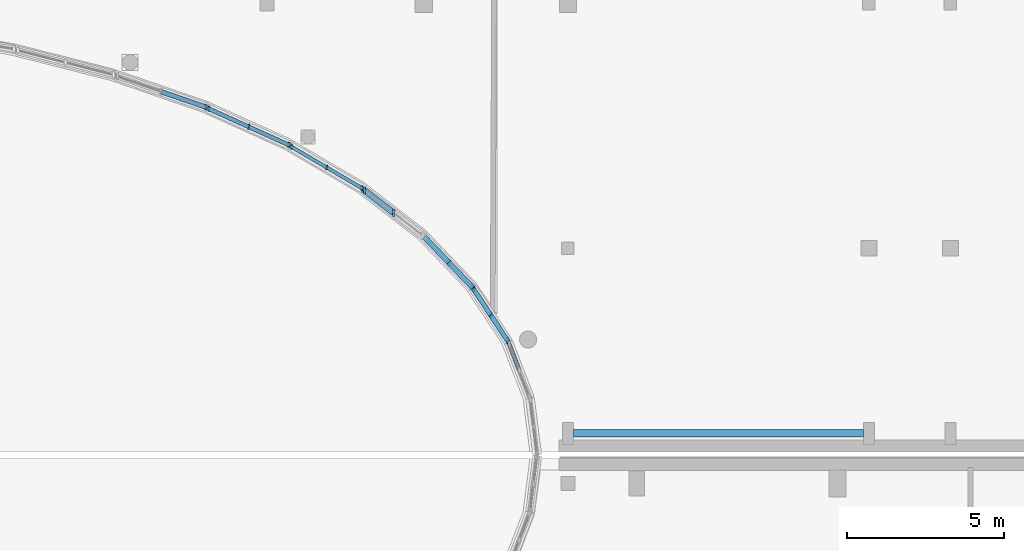
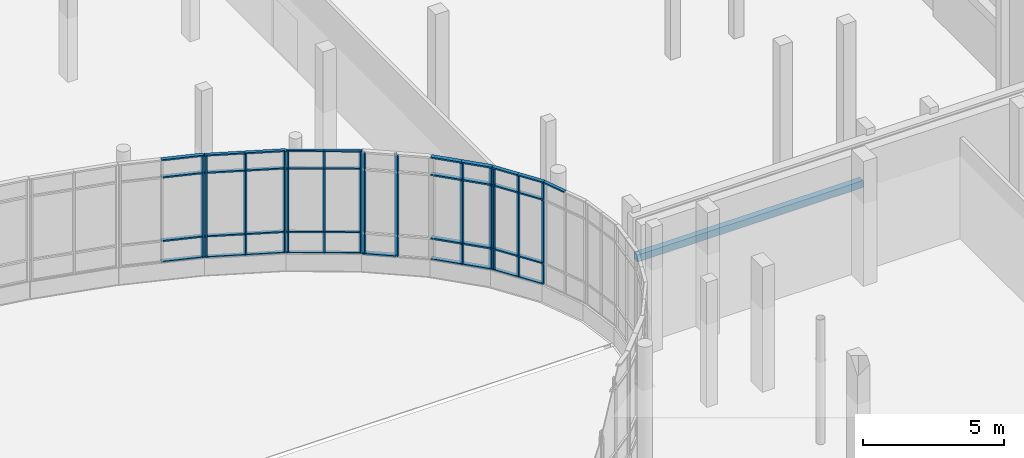
# One storey, part 25 of 84: 52 members, 1 beam, 7 elements without a shape of their own.
"""IFC4 building model written with IfcOpenShell, lengths in metres."""

from ifc_helpers import new_model, si_unit, direction, frame, origin, origin_2d, place, context, subcontext, project, spatial, rectangle, extrude, material, material_profile, profile_set, type_object, element, aggregate, save


model = new_model("IFC4")

# Units and contexts
model_context = context("Model", 3, precision=1e-05, world=origin(), true_north=direction((0.0, 1.0)))
body_context = subcontext(model_context, "Body", "Model", "MODEL_VIEW")
ifc_project = project(units=[si_unit("LENGTHUNIT", "METRE"), si_unit("AREAUNIT", "SQUARE_METRE"), si_unit("VOLUMEUNIT", "CUBIC_METRE"), si_unit("PLANEANGLEUNIT", "RADIAN"), si_unit("MASSUNIT", "GRAM", prefix="KILO")], contexts=[model_context])

# Site, building, storey
site_placement = place(None, origin())
site = spatial("IfcSite", under=ifc_project, at=site_placement, CompositionType="ELEMENT")
building_placement = place(site_placement, origin())
building = spatial("IfcBuilding", under=site, at=building_placement, Name="Mzevani Central Library", CompositionType="ELEMENT")
storey_placement = place(building_placement, origin())
storey = spatial("IfcBuildingStorey", under=building, at=storey_placement, Name="L00", CompositionType="ELEMENT", Elevation=0.0)

# Curtain wall, members
ifc_material_1 = material(Name="Thermally broken aluminium and Low-E triple glazing", Category="aluminium")
curtain_wall_type_1 = type_object("IfcCurtainWallType", Name="Elliptical Court Unitised Curtain Wall", PredefinedType="NOTDEFINED", material=ifc_material_1)
curtain_wall_1_placement = place(storey_placement, origin())
curtain_wall_1 = element("IfcCurtainWall", 1, at=curtain_wall_1_placement, inside=storey, type_object=curtain_wall_type_1, Name="L00 Elliptical Court Curtain Wall 6", PredefinedType="NOTDEFINED")
ifc_material_2 = material(Name="Thermally broken aluminium AW-6060", Category="aluminium")
ifc_material_profile_1 = material_profile(ifc_material_2, rectangle(XDim=0.06005859375, YDim=0.139892578125, at=origin_2d()), Name="ALU M60x140")
ifc_profile_set_1 = profile_set([ifc_material_profile_1], Name="Thermally broken aluminium AW-6060")
member_type_1 = type_object("IfcMemberType", Name="CW Mullion 60x140", PredefinedType="MULLION", material=ifc_profile_set_1)
member_1_placement = place(storey_placement, frame((105.419189453125, 84.5244140625, 0.719970703125), z_axis=(0.0, 0.0, 1.0), x_axis=(1.0, 0.0, 0.0)))
member_1 = element("IfcMember", 2, at=member_1_placement, type_object=member_type_1, Name="L00 Elliptical Court Curtain Wall 6 Mullion 1", PredefinedType="MULLION", context=body_context, shape_type="SweptSolid", body=[
    extrude(rectangle(XDim=0.06005859375, YDim=0.139892578125, at=origin_2d()), origin(), (0.0, 0.0, 1.0), 4.400146484375),
])
member_2_placement = place(storey_placement, frame((104.306640625, 85.17822265625, 0.719970703125), z_axis=(0.0, 0.0, 1.0), x_axis=(1.0, 0.0, 0.0)))
member_2 = element("IfcMember", 3, at=member_2_placement, type_object=member_type_1, Name="L00 Elliptical Court Curtain Wall 6 Mullion 2", PredefinedType="MULLION", context=body_context, shape_type="SweptSolid", body=[
    extrude(rectangle(XDim=0.06005859375, YDim=0.139892578125, at=origin_2d()), origin(), (0.0, 0.0, 1.0), 4.400146484375),
])
member_3_placement = place(storey_placement, frame((103.194091796875, 85.83203125, 0.719970703125), z_axis=(0.0, 0.0, 1.0), x_axis=(1.0, 0.0, 0.0)))
member_3 = element("IfcMember", 4, at=member_3_placement, type_object=member_type_1, Name="L00 Elliptical Court Curtain Wall 6 Mullion 3", PredefinedType="MULLION", context=body_context, shape_type="SweptSolid", body=[
    extrude(rectangle(XDim=0.06005859375, YDim=0.139892578125, at=origin_2d()), origin(), (0.0, 0.0, 1.0), 4.400146484375),
])

curtain_wall_type_2 = type_object("IfcCurtainWallType", Name="Reading Hall Northlight Curtain Wall", PredefinedType="NOTDEFINED", material=ifc_material_1)
curtain_wall_2_placement = place(storey_placement, origin())
curtain_wall_2 = element("IfcCurtainWall", 5, at=curtain_wall_2_placement, inside=storey, type_object=curtain_wall_type_2, Name="L00 Elliptical Court Curtain Wall 7", PredefinedType="NOTDEFINED")
ifc_material_profile_2 = material_profile(ifc_material_2, rectangle(XDim=0.06005859375, YDim=0.159912109375, at=origin_2d()), Name="ALU M60x160")
ifc_profile_set_2 = profile_set([ifc_material_profile_2], Name="Thermally broken aluminium AW-6060")
member_type_2 = type_object("IfcMemberType", Name="CW Mullion 60x160", PredefinedType="MULLION", material=ifc_profile_set_2)
member_4_placement = place(storey_placement, frame((103.094482421875, 85.898681640625, 0.719970703125), z_axis=(0.0, 0.0, 1.0), x_axis=(1.0, 0.0, 0.0)))
member_4 = element("IfcMember", 6, at=member_4_placement, type_object=member_type_2, Name="L00 Elliptical Court Curtain Wall 7 Mullion 1", PredefinedType="MULLION", context=body_context, shape_type="SweptSolid", body=[
    extrude(rectangle(XDim=0.06005859375, YDim=0.159912109375, at=origin_2d()), origin(), (0.0, 0.0, 1.0), 4.400146484375),
])
member_5_placement = place(storey_placement, frame((101.822265625, 86.473876953125, 0.719970703125), z_axis=(0.0, 0.0, 1.0), x_axis=(1.0, 0.0, 0.0)))
member_5 = element("IfcMember", 7, at=member_5_placement, type_object=member_type_2, Name="L00 Elliptical Court Curtain Wall 7 Mullion 2", PredefinedType="MULLION", context=body_context, shape_type="SweptSolid", body=[
    extrude(rectangle(XDim=0.06005859375, YDim=0.159912109375, at=origin_2d()), origin(), (0.0, 0.0, 1.0), 4.400146484375),
])
member_6_placement = place(storey_placement, frame((100.550048828125, 87.048828125, 0.719970703125), z_axis=(0.0, 0.0, 1.0), x_axis=(1.0, 0.0, 0.0)))
member_6 = element("IfcMember", 8, at=member_6_placement, type_object=member_type_2, Name="L00 Elliptical Court Curtain Wall 7 Mullion 3", PredefinedType="MULLION", context=body_context, shape_type="SweptSolid", body=[
    extrude(rectangle(XDim=0.06005859375, YDim=0.159912109375, at=origin_2d()), origin(), (0.0, 0.0, 1.0), 4.400146484375),
])

curtain_wall_3_placement = place(storey_placement, origin())
curtain_wall_3 = element("IfcCurtainWall", 9, at=curtain_wall_3_placement, inside=storey, type_object=curtain_wall_type_1, Name="L00 Elliptical Court Curtain Wall 3", PredefinedType="NOTDEFINED")
ifc_material_profile_3 = material_profile(ifc_material_2, rectangle(XDim=0.06005859375, YDim=0.179931640625, at=origin_2d()), Name="ALU M60x180")
ifc_profile_set_3 = profile_set([ifc_material_profile_3], Name="Thermally broken aluminium AW-6060")
member_type_3 = type_object("IfcMemberType", Name="CW Mullion 60x180", PredefinedType="MULLION", material=ifc_profile_set_3)
member_7_placement = place(storey_placement, frame((110.075927734375, 79.654541015625, 0.719970703125), z_axis=(0.0, 0.0, 1.0), x_axis=(1.0, 0.0, 0.0)))
member_7 = element("IfcMember", 10, at=member_7_placement, type_object=member_type_3, Name="L00 Elliptical Court Curtain Wall 3 Mullion 1", PredefinedType="MULLION", context=body_context, shape_type="SweptSolid", body=[
    extrude(rectangle(XDim=0.06005859375, YDim=0.179931640625, at=origin_2d()), origin(), (0.0, 0.0, 1.0), 4.400146484375),
])
member_8_placement = place(storey_placement, frame((109.5400390625, 80.46826171875, 0.719970703125), z_axis=(0.0, 0.0, 1.0), x_axis=(1.0, 0.0, 0.0)))
member_8 = element("IfcMember", 11, at=member_8_placement, type_object=member_type_3, Name="L00 Elliptical Court Curtain Wall 3 Mullion 2", PredefinedType="MULLION", context=body_context, shape_type="SweptSolid", body=[
    extrude(rectangle(XDim=0.06005859375, YDim=0.179931640625, at=origin_2d()), origin(), (0.0, 0.0, 1.0), 4.400146484375),
])
member_9_placement = place(storey_placement, frame((109.004150390625, 81.281982421875, 0.719970703125), z_axis=(0.0, 0.0, 1.0), x_axis=(1.0, 0.0, 0.0)))
member_9 = element("IfcMember", 12, at=member_9_placement, type_object=member_type_3, Name="L00 Elliptical Court Curtain Wall 3 Mullion 3", PredefinedType="MULLION", context=body_context, shape_type="SweptSolid", body=[
    extrude(rectangle(XDim=0.06005859375, YDim=0.179931640625, at=origin_2d()), origin(), (0.0, 0.0, 1.0), 4.400146484375),
])

# Curtain wall, member
curtain_wall_4_placement = place(storey_placement, origin())
curtain_wall_4 = element("IfcCurtainWall", 13, at=curtain_wall_4_placement, inside=storey, type_object=curtain_wall_type_1, Name="L00 Elliptical Court Curtain Wall 8", PredefinedType="NOTDEFINED")
member_10_placement = place(storey_placement, frame((100.441650390625, 87.108642578125, 0.719970703125), z_axis=(0.0, 0.0, 1.0), x_axis=(1.0, 0.0, 0.0)))
member_10 = element("IfcMember", 14, at=member_10_placement, type_object=member_type_3, Name="L00 Elliptical Court Curtain Wall 8 Mullion 1", PredefinedType="MULLION", context=body_context, shape_type="SweptSolid", body=[
    extrude(rectangle(XDim=0.06005859375, YDim=0.179931640625, at=origin_2d()), origin(), (0.0, 0.0, 1.0), 4.400146484375),
])

# Curtain wall, members
curtain_wall_5_placement = place(storey_placement, origin())
curtain_wall_5 = element("IfcCurtainWall", 15, at=curtain_wall_5_placement, inside=storey, type_object=curtain_wall_type_2, Name="L00 Elliptical Court Curtain Wall 4", PredefinedType="NOTDEFINED")
ifc_material_profile_4 = material_profile(ifc_material_2, rectangle(XDim=0.06494140625, YDim=0.199951171875, at=origin_2d()), Name="ALU M65x200")
ifc_profile_set_4 = profile_set([ifc_material_profile_4], Name="Thermally broken aluminium AW-6060")
member_type_4 = type_object("IfcMemberType", Name="CW Mullion 65x200", PredefinedType="MULLION", material=ifc_profile_set_4)
member_11_placement = place(storey_placement, frame((108.938720703125, 81.3759765625, 0.719970703125), z_axis=(0.0, 0.0, 1.0), x_axis=(1.0, 0.0, 0.0)))
member_11 = element("IfcMember", 16, at=member_11_placement, type_object=member_type_4, Name="L00 Elliptical Court Curtain Wall 4 Mullion 1", PredefinedType="MULLION", context=body_context, shape_type="SweptSolid", body=[
    extrude(rectangle(XDim=0.06494140625, YDim=0.199951171875, at=origin_2d()), origin(), (0.0, 0.0, 1.0), 4.400146484375),
])
member_12_placement = place(storey_placement, frame((108.197998046875, 82.150146484375, 0.719970703125), z_axis=(0.0, 0.0, 1.0), x_axis=(1.0, 0.0, 0.0)))
member_12 = element("IfcMember", 17, at=member_12_placement, type_object=member_type_4, Name="L00 Elliptical Court Curtain Wall 4 Mullion 2", PredefinedType="MULLION", context=body_context, shape_type="SweptSolid", body=[
    extrude(rectangle(XDim=0.06494140625, YDim=0.199951171875, at=origin_2d()), origin(), (0.0, 0.0, 1.0), 4.400146484375),
])

curtain_wall_6_placement = place(storey_placement, origin())
curtain_wall_6 = element("IfcCurtainWall", 18, at=curtain_wall_6_placement, inside=storey, type_object=curtain_wall_type_1, Name="L00 Elliptical Court Curtain Wall 5", PredefinedType="NOTDEFINED")
ifc_material_profile_5 = material_profile(ifc_material_2, rectangle(XDim=0.070068359375, YDim=0.219970703125, at=origin_2d()), Name="ALU M70x220")
ifc_profile_set_5 = profile_set([ifc_material_profile_5], Name="Thermally broken aluminium AW-6060")
member_type_5 = type_object("IfcMemberType", Name="CW Mullion 70x220", PredefinedType="MULLION", material=ifc_profile_set_5)
member_13_placement = place(storey_placement, frame((106.443603515625, 83.72900390625, 0.719970703125), z_axis=(0.0, 0.0, 1.0), x_axis=(1.0, 0.0, 0.0)))
member_13 = element("IfcMember", 19, at=member_13_placement, type_object=member_type_5, Name="L00 Elliptical Court Curtain Wall 5 Mullion 2", PredefinedType="MULLION", context=body_context, shape_type="SweptSolid", body=[
    extrude(rectangle(XDim=0.070068359375, YDim=0.219970703125, at=origin_2d()), origin(), (0.0, 0.0, 1.0), 4.400146484375),
])
member_14_placement = place(storey_placement, frame((105.509521484375, 84.449462890625, 0.719970703125), z_axis=(0.0, 0.0, 1.0), x_axis=(1.0, 0.0, 0.0)))
member_14 = element("IfcMember", 20, at=member_14_placement, type_object=member_type_5, Name="L00 Elliptical Court Curtain Wall 5 Mullion 3", PredefinedType="MULLION", context=body_context, shape_type="SweptSolid", body=[
    extrude(rectangle(XDim=0.070068359375, YDim=0.219970703125, at=origin_2d()), origin(), (0.0, 0.0, 1.0), 4.400146484375),
])

# Member
ifc_material_profile_6 = material_profile(ifc_material_2, rectangle(XDim=0.110107421875, YDim=0.06005859375, at=origin_2d()), Name="ALU T60x110")
ifc_profile_set_6 = profile_set([ifc_material_profile_6], Name="Thermally broken aluminium AW-6060")
member_type_6 = type_object("IfcMemberType", Name="CW Transom 60x110", PredefinedType="USERDEFINED", material=ifc_profile_set_6)
member_15_placement = place(storey_placement, frame((105.46240234375, 84.4990234375, 0.719970703125), z_axis=(-0.862149496171, 0.506653970923, 0.0), x_axis=(-0.506653970923, -0.862149496171, 0.0)))
member_15 = element("IfcMember", 21, at=member_15_placement, type_object=member_type_6, Name="L00 Elliptical Court Curtain Wall 6 Transom 1", ObjectType="TRANSOM", PredefinedType="USERDEFINED", context=body_context, shape_type="SweptSolid", body=[
    extrude(rectangle(XDim=0.110107421875, YDim=0.06005859375, at=origin_2d()), origin(), (0.0, 0.0, 1.0), 1.340576171875),
])

member_16_placement = place(storey_placement, frame((105.46240234375, 84.4990234375, 1.6201171875), z_axis=(-0.862149496171, 0.506653970923, 0.0), x_axis=(-0.506653970923, -0.862149496171, 0.0)))
member_16 = element("IfcMember", 22, at=member_16_placement, type_object=member_type_6, Name="L00 Elliptical Court Curtain Wall 6 Transom 2", ObjectType="TRANSOM", PredefinedType="USERDEFINED", context=body_context, shape_type="SweptSolid", body=[
    extrude(rectangle(XDim=0.110107421875, YDim=0.06005859375, at=origin_2d()), origin(), (0.0, 0.0, 1.0), 1.340576171875),
])

member_17_placement = place(storey_placement, frame((105.46240234375, 84.4990234375, 4.3701171875), z_axis=(-0.862149496171, 0.506653970923, 0.0), x_axis=(-0.506653970923, -0.862149496171, 0.0)))
member_17 = element("IfcMember", 23, at=member_17_placement, type_object=member_type_6, Name="L00 Elliptical Court Curtain Wall 6 Transom 3", ObjectType="TRANSOM", PredefinedType="USERDEFINED", context=body_context, shape_type="SweptSolid", body=[
    extrude(rectangle(XDim=0.110107421875, YDim=0.06005859375, at=origin_2d()), origin(), (0.0, 0.0, 1.0), 1.340576171875),
])

member_18_placement = place(storey_placement, frame((105.46240234375, 84.4990234375, 5.1201171875), z_axis=(-0.862149496171, 0.506653970923, 0.0), x_axis=(-0.506653970923, -0.862149496171, 0.0)))
member_18 = element("IfcMember", 24, at=member_18_placement, type_object=member_type_6, Name="L00 Elliptical Court Curtain Wall 6 Transom 4", ObjectType="TRANSOM", PredefinedType="USERDEFINED", context=body_context, shape_type="SweptSolid", body=[
    extrude(rectangle(XDim=0.110107421875, YDim=0.06005859375, at=origin_2d()), origin(), (0.0, 0.0, 1.0), 1.340576171875),
])

member_19_placement = place(storey_placement, frame((104.306640625, 85.17822265625, 0.719970703125), z_axis=(-0.862149496171, 0.506653970923, 0.0), x_axis=(-0.506653970923, -0.862149496171, 0.0)))
member_19 = element("IfcMember", 25, at=member_19_placement, type_object=member_type_6, Name="L00 Elliptical Court Curtain Wall 6 Transom 5", ObjectType="TRANSOM", PredefinedType="USERDEFINED", context=body_context, shape_type="SweptSolid", body=[
    extrude(rectangle(XDim=0.110107421875, YDim=0.06005859375, at=origin_2d()), origin(), (0.0, 0.0, 1.0), 1.340576171875),
])

member_20_placement = place(storey_placement, frame((104.306640625, 85.17822265625, 1.6201171875), z_axis=(-0.862149496171, 0.506653970923, 0.0), x_axis=(-0.506653970923, -0.862149496171, 0.0)))
member_20 = element("IfcMember", 26, at=member_20_placement, type_object=member_type_6, Name="L00 Elliptical Court Curtain Wall 6 Transom 6", ObjectType="TRANSOM", PredefinedType="USERDEFINED", context=body_context, shape_type="SweptSolid", body=[
    extrude(rectangle(XDim=0.110107421875, YDim=0.06005859375, at=origin_2d()), origin(), (0.0, 0.0, 1.0), 1.340576171875),
])

member_21_placement = place(storey_placement, frame((104.306640625, 85.17822265625, 4.3701171875), z_axis=(-0.862149496171, 0.506653970923, 0.0), x_axis=(-0.506653970923, -0.862149496171, 0.0)))
member_21 = element("IfcMember", 27, at=member_21_placement, type_object=member_type_6, Name="L00 Elliptical Court Curtain Wall 6 Transom 7", ObjectType="TRANSOM", PredefinedType="USERDEFINED", context=body_context, shape_type="SweptSolid", body=[
    extrude(rectangle(XDim=0.110107421875, YDim=0.06005859375, at=origin_2d()), origin(), (0.0, 0.0, 1.0), 1.340576171875),
])

member_22_placement = place(storey_placement, frame((104.306640625, 85.17822265625, 5.1201171875), z_axis=(-0.862149496171, 0.506653970923, 0.0), x_axis=(-0.506653970923, -0.862149496171, 0.0)))
member_22 = element("IfcMember", 28, at=member_22_placement, type_object=member_type_6, Name="L00 Elliptical Court Curtain Wall 6 Transom 8", ObjectType="TRANSOM", PredefinedType="USERDEFINED", context=body_context, shape_type="SweptSolid", body=[
    extrude(rectangle(XDim=0.110107421875, YDim=0.06005859375, at=origin_2d()), origin(), (0.0, 0.0, 1.0), 1.340576171875),
])

aggregate(curtain_wall_1, [member_1, member_2, member_3, member_15, member_16, member_17, member_18, member_19, member_20, member_21, member_22])

# Curtain wall, member
curtain_wall_7_placement = place(storey_placement, origin())
curtain_wall_7 = element("IfcCurtainWall", 29, at=curtain_wall_7_placement, inside=storey, type_object=curtain_wall_type_1, Name="L00 Elliptical Court Curtain Wall 2", PredefinedType="NOTDEFINED")
ifc_material_profile_7 = material_profile(ifc_material_2, rectangle(XDim=0.1298828125, YDim=0.06005859375, at=origin_2d()), Name="ALU T60x130")
ifc_profile_set_7 = profile_set([ifc_material_profile_7], Name="Thermally broken aluminium AW-6060")
member_type_7 = type_object("IfcMemberType", Name="CW Transom 60x130", PredefinedType="USERDEFINED", material=ifc_profile_set_7)
member_23_placement = place(storey_placement, frame((110.44775390625, 78.711181640625, 5.1201171875), z_axis=(-0.360063821231, 0.932927673853, 0.0), x_axis=(-0.932927673853, -0.360063821231, 0.0)))
member_23 = element("IfcMember", 30, at=member_23_placement, type_object=member_type_7, Name="L00 Elliptical Court Curtain Wall 2 Transom 8", ObjectType="TRANSOM", PredefinedType="USERDEFINED", context=body_context, shape_type="SweptSolid", body=[
    extrude(rectangle(XDim=0.1298828125, YDim=0.06005859375, at=origin_2d()), origin(), (0.0, 0.0, 1.0), 0.949951171875),
])
aggregate(curtain_wall_7, [member_23])

# Member
member_24_placement = place(storey_placement, frame((103.14013671875, 85.878173828125, 0.719970703125), z_axis=(-0.911231648639, 0.411894261333, 0.0), x_axis=(-0.411894261333, -0.911231648639, 0.0)))
member_24 = element("IfcMember", 31, at=member_24_placement, type_object=member_type_7, Name="L00 Elliptical Court Curtain Wall 7 Transom 1", ObjectType="TRANSOM", PredefinedType="USERDEFINED", context=body_context, shape_type="SweptSolid", body=[
    extrude(rectangle(XDim=0.1298828125, YDim=0.06005859375, at=origin_2d()), origin(), (0.0, 0.0, 1.0), 1.4462890625),
])

member_25_placement = place(storey_placement, frame((103.14013671875, 85.878173828125, 1.6201171875), z_axis=(-0.911231648639, 0.411894261333, 0.0), x_axis=(-0.411894261333, -0.911231648639, 0.0)))
member_25 = element("IfcMember", 32, at=member_25_placement, type_object=member_type_7, Name="L00 Elliptical Court Curtain Wall 7 Transom 2", ObjectType="TRANSOM", PredefinedType="USERDEFINED", context=body_context, shape_type="SweptSolid", body=[
    extrude(rectangle(XDim=0.1298828125, YDim=0.06005859375, at=origin_2d()), origin(), (0.0, 0.0, 1.0), 1.4462890625),
])

member_26_placement = place(storey_placement, frame((103.14013671875, 85.878173828125, 4.3701171875), z_axis=(-0.911231648639, 0.411894261333, 0.0), x_axis=(-0.411894261333, -0.911231648639, 0.0)))
member_26 = element("IfcMember", 33, at=member_26_placement, type_object=member_type_7, Name="L00 Elliptical Court Curtain Wall 7 Transom 3", ObjectType="TRANSOM", PredefinedType="USERDEFINED", context=body_context, shape_type="SweptSolid", body=[
    extrude(rectangle(XDim=0.1298828125, YDim=0.06005859375, at=origin_2d()), origin(), (0.0, 0.0, 1.0), 1.4462890625),
])

member_27_placement = place(storey_placement, frame((103.14013671875, 85.878173828125, 5.1201171875), z_axis=(-0.911231648639, 0.411894261333, 0.0), x_axis=(-0.411894261333, -0.911231648639, 0.0)))
member_27 = element("IfcMember", 34, at=member_27_placement, type_object=member_type_7, Name="L00 Elliptical Court Curtain Wall 7 Transom 4", ObjectType="TRANSOM", PredefinedType="USERDEFINED", context=body_context, shape_type="SweptSolid", body=[
    extrude(rectangle(XDim=0.1298828125, YDim=0.06005859375, at=origin_2d()), origin(), (0.0, 0.0, 1.0), 1.4462890625),
])

member_28_placement = place(storey_placement, frame((101.822265625, 86.473876953125, 0.719970703125), z_axis=(-0.911231648639, 0.411894261333, 0.0), x_axis=(-0.411894261333, -0.911231648639, 0.0)))
member_28 = element("IfcMember", 35, at=member_28_placement, type_object=member_type_7, Name="L00 Elliptical Court Curtain Wall 7 Transom 5", ObjectType="TRANSOM", PredefinedType="USERDEFINED", context=body_context, shape_type="SweptSolid", body=[
    extrude(rectangle(XDim=0.1298828125, YDim=0.06005859375, at=origin_2d()), origin(), (0.0, 0.0, 1.0), 1.4462890625),
])

member_29_placement = place(storey_placement, frame((101.822265625, 86.473876953125, 1.6201171875), z_axis=(-0.911231648639, 0.411894261333, 0.0), x_axis=(-0.411894261333, -0.911231648639, 0.0)))
member_29 = element("IfcMember", 36, at=member_29_placement, type_object=member_type_7, Name="L00 Elliptical Court Curtain Wall 7 Transom 6", ObjectType="TRANSOM", PredefinedType="USERDEFINED", context=body_context, shape_type="SweptSolid", body=[
    extrude(rectangle(XDim=0.1298828125, YDim=0.06005859375, at=origin_2d()), origin(), (0.0, 0.0, 1.0), 1.4462890625),
])

member_30_placement = place(storey_placement, frame((101.822265625, 86.473876953125, 4.3701171875), z_axis=(-0.911231648639, 0.411894261333, 0.0), x_axis=(-0.411894261333, -0.911231648639, 0.0)))
member_30 = element("IfcMember", 37, at=member_30_placement, type_object=member_type_7, Name="L00 Elliptical Court Curtain Wall 7 Transom 7", ObjectType="TRANSOM", PredefinedType="USERDEFINED", context=body_context, shape_type="SweptSolid", body=[
    extrude(rectangle(XDim=0.1298828125, YDim=0.06005859375, at=origin_2d()), origin(), (0.0, 0.0, 1.0), 1.4462890625),
])

member_31_placement = place(storey_placement, frame((101.822265625, 86.473876953125, 5.1201171875), z_axis=(-0.911231648639, 0.411894261333, 0.0), x_axis=(-0.411894261333, -0.911231648639, 0.0)))
member_31 = element("IfcMember", 38, at=member_31_placement, type_object=member_type_7, Name="L00 Elliptical Court Curtain Wall 7 Transom 8", ObjectType="TRANSOM", PredefinedType="USERDEFINED", context=body_context, shape_type="SweptSolid", body=[
    extrude(rectangle(XDim=0.1298828125, YDim=0.06005859375, at=origin_2d()), origin(), (0.0, 0.0, 1.0), 1.4462890625),
])

aggregate(curtain_wall_2, [member_4, member_5, member_6, member_24, member_25, member_26, member_27, member_28, member_29, member_30, member_31])

ifc_material_profile_8 = material_profile(ifc_material_2, rectangle(XDim=0.14990234375, YDim=0.06005859375, at=origin_2d()), Name="ALU T60x150")
ifc_profile_set_8 = profile_set([ifc_material_profile_8], Name="Thermally broken aluminium AW-6060")
member_type_8 = type_object("IfcMemberType", Name="CW Transom 60x150", PredefinedType="USERDEFINED", material=ifc_profile_set_8)
member_32_placement = place(storey_placement, frame((110.103515625, 79.61279296875, 0.719970703125), z_axis=(-0.550071659346, 0.835117458556, 0.0), x_axis=(-0.835117458556, -0.550071659346, 0.0)))
member_32 = element("IfcMember", 39, at=member_32_placement, type_object=member_type_8, Name="L00 Elliptical Court Curtain Wall 3 Transom 1", ObjectType="TRANSOM", PredefinedType="USERDEFINED", context=body_context, shape_type="SweptSolid", body=[
    extrude(rectangle(XDim=0.14990234375, YDim=0.06005859375, at=origin_2d()), origin(), (0.0, 0.0, 1.0), 1.0244140625),
])

member_33_placement = place(storey_placement, frame((110.103515625, 79.61279296875, 1.6201171875), z_axis=(-0.550071659346, 0.835117458556, 0.0), x_axis=(-0.835117458556, -0.550071659346, 0.0)))
member_33 = element("IfcMember", 40, at=member_33_placement, type_object=member_type_8, Name="L00 Elliptical Court Curtain Wall 3 Transom 2", ObjectType="TRANSOM", PredefinedType="USERDEFINED", context=body_context, shape_type="SweptSolid", body=[
    extrude(rectangle(XDim=0.14990234375, YDim=0.06005859375, at=origin_2d()), origin(), (0.0, 0.0, 1.0), 1.0244140625),
])

member_34_placement = place(storey_placement, frame((110.103515625, 79.61279296875, 4.3701171875), z_axis=(-0.550071659346, 0.835117458556, 0.0), x_axis=(-0.835117458556, -0.550071659346, 0.0)))
member_34 = element("IfcMember", 41, at=member_34_placement, type_object=member_type_8, Name="L00 Elliptical Court Curtain Wall 3 Transom 3", ObjectType="TRANSOM", PredefinedType="USERDEFINED", context=body_context, shape_type="SweptSolid", body=[
    extrude(rectangle(XDim=0.14990234375, YDim=0.06005859375, at=origin_2d()), origin(), (0.0, 0.0, 1.0), 1.0244140625),
])

member_35_placement = place(storey_placement, frame((110.103515625, 79.61279296875, 5.1201171875), z_axis=(-0.550071659346, 0.835117458556, 0.0), x_axis=(-0.835117458556, -0.550071659346, 0.0)))
member_35 = element("IfcMember", 42, at=member_35_placement, type_object=member_type_8, Name="L00 Elliptical Court Curtain Wall 3 Transom 4", ObjectType="TRANSOM", PredefinedType="USERDEFINED", context=body_context, shape_type="SweptSolid", body=[
    extrude(rectangle(XDim=0.14990234375, YDim=0.06005859375, at=origin_2d()), origin(), (0.0, 0.0, 1.0), 1.0244140625),
])

member_36_placement = place(storey_placement, frame((109.5400390625, 80.46826171875, 0.719970703125), z_axis=(-0.54990540845, 0.835226940273, 0.0), x_axis=(-0.835226940273, -0.54990540845, 0.0)))
member_36 = element("IfcMember", 43, at=member_36_placement, type_object=member_type_8, Name="L00 Elliptical Court Curtain Wall 3 Transom 5", ObjectType="TRANSOM", PredefinedType="USERDEFINED", context=body_context, shape_type="SweptSolid", body=[
    extrude(rectangle(XDim=0.14990234375, YDim=0.06005859375, at=origin_2d()), origin(), (0.0, 0.0, 1.0), 1.024169921875),
])

member_37_placement = place(storey_placement, frame((109.5400390625, 80.46826171875, 1.6201171875), z_axis=(-0.54990540845, 0.835226940273, 0.0), x_axis=(-0.835226940273, -0.54990540845, 0.0)))
member_37 = element("IfcMember", 44, at=member_37_placement, type_object=member_type_8, Name="L00 Elliptical Court Curtain Wall 3 Transom 6", ObjectType="TRANSOM", PredefinedType="USERDEFINED", context=body_context, shape_type="SweptSolid", body=[
    extrude(rectangle(XDim=0.14990234375, YDim=0.06005859375, at=origin_2d()), origin(), (0.0, 0.0, 1.0), 1.024169921875),
])

member_38_placement = place(storey_placement, frame((109.5400390625, 80.46826171875, 4.3701171875), z_axis=(-0.54990540845, 0.835226940273, 0.0), x_axis=(-0.835226940273, -0.54990540845, 0.0)))
member_38 = element("IfcMember", 45, at=member_38_placement, type_object=member_type_8, Name="L00 Elliptical Court Curtain Wall 3 Transom 7", ObjectType="TRANSOM", PredefinedType="USERDEFINED", context=body_context, shape_type="SweptSolid", body=[
    extrude(rectangle(XDim=0.14990234375, YDim=0.06005859375, at=origin_2d()), origin(), (0.0, 0.0, 1.0), 1.024169921875),
])

member_39_placement = place(storey_placement, frame((109.5400390625, 80.46826171875, 5.1201171875), z_axis=(-0.54990540845, 0.835226940273, 0.0), x_axis=(-0.835226940273, -0.54990540845, 0.0)))
member_39 = element("IfcMember", 46, at=member_39_placement, type_object=member_type_8, Name="L00 Elliptical Court Curtain Wall 3 Transom 8", ObjectType="TRANSOM", PredefinedType="USERDEFINED", context=body_context, shape_type="SweptSolid", body=[
    extrude(rectangle(XDim=0.14990234375, YDim=0.06005859375, at=origin_2d()), origin(), (0.0, 0.0, 1.0), 1.024169921875),
])

aggregate(curtain_wall_3, [member_7, member_8, member_9, member_32, member_33, member_34, member_35, member_36, member_37, member_38, member_39])

member_40_placement = place(storey_placement, frame((100.489013671875, 87.09228515625, 0.719970703125), z_axis=(-0.945500820927, 0.325619713204, 0.0), x_axis=(-0.325619713204, -0.945500820927, 0.0)))
member_40 = element("IfcMember", 47, at=member_40_placement, type_object=member_type_8, Name="L00 Elliptical Court Curtain Wall 8 Transom 1", ObjectType="TRANSOM", PredefinedType="USERDEFINED", context=body_context, shape_type="SweptSolid", body=[
    extrude(rectangle(XDim=0.14990234375, YDim=0.06005859375, at=origin_2d()), origin(), (0.0, 0.0, 1.0), 1.54150390625),
])

member_41_placement = place(storey_placement, frame((100.489013671875, 87.09228515625, 1.6201171875), z_axis=(-0.945500820927, 0.325619713204, 0.0), x_axis=(-0.325619713204, -0.945500820927, 0.0)))
member_41 = element("IfcMember", 48, at=member_41_placement, type_object=member_type_8, Name="L00 Elliptical Court Curtain Wall 8 Transom 2", ObjectType="TRANSOM", PredefinedType="USERDEFINED", context=body_context, shape_type="SweptSolid", body=[
    extrude(rectangle(XDim=0.14990234375, YDim=0.06005859375, at=origin_2d()), origin(), (0.0, 0.0, 1.0), 1.54150390625),
])

member_42_placement = place(storey_placement, frame((100.489013671875, 87.09228515625, 4.3701171875), z_axis=(-0.945500820927, 0.325619713204, 0.0), x_axis=(-0.325619713204, -0.945500820927, 0.0)))
member_42 = element("IfcMember", 49, at=member_42_placement, type_object=member_type_8, Name="L00 Elliptical Court Curtain Wall 8 Transom 3", ObjectType="TRANSOM", PredefinedType="USERDEFINED", context=body_context, shape_type="SweptSolid", body=[
    extrude(rectangle(XDim=0.14990234375, YDim=0.06005859375, at=origin_2d()), origin(), (0.0, 0.0, 1.0), 1.54150390625),
])

member_43_placement = place(storey_placement, frame((100.489013671875, 87.09228515625, 5.1201171875), z_axis=(-0.945500820927, 0.325619713204, 0.0), x_axis=(-0.325619713204, -0.945500820927, 0.0)))
member_43 = element("IfcMember", 50, at=member_43_placement, type_object=member_type_8, Name="L00 Elliptical Court Curtain Wall 8 Transom 4", ObjectType="TRANSOM", PredefinedType="USERDEFINED", context=body_context, shape_type="SweptSolid", body=[
    extrude(rectangle(XDim=0.14990234375, YDim=0.06005859375, at=origin_2d()), origin(), (0.0, 0.0, 1.0), 1.54150390625),
])

aggregate(curtain_wall_4, [member_10, member_40, member_41, member_42, member_43])

ifc_material_profile_9 = material_profile(ifc_material_2, rectangle(XDim=0.169921875, YDim=0.06494140625, at=origin_2d()), Name="ALU T65x170")
ifc_profile_set_9 = profile_set([ifc_material_profile_9], Name="Thermally broken aluminium AW-6060")
member_type_9 = type_object("IfcMemberType", Name="CW Transom 65x170", PredefinedType="USERDEFINED", material=ifc_profile_set_9)
member_44_placement = place(storey_placement, frame((108.97314453125, 81.33984375, 0.719970703125), z_axis=(-0.691257248067, 0.722608757901, 0.0), x_axis=(-0.722608757901, -0.691257248067, 0.0)))
member_44 = element("IfcMember", 51, at=member_44_placement, type_object=member_type_9, Name="L00 Elliptical Court Curtain Wall 4 Transom 1", ObjectType="TRANSOM", PredefinedType="USERDEFINED", context=body_context, shape_type="SweptSolid", body=[
    extrude(rectangle(XDim=0.169921875, YDim=0.06494140625, at=origin_2d()), origin(), (0.0, 0.0, 1.0), 1.121337890625),
])

member_45_placement = place(storey_placement, frame((108.97314453125, 81.33984375, 1.6201171875), z_axis=(-0.691257248067, 0.722608757901, 0.0), x_axis=(-0.722608757901, -0.691257248067, 0.0)))
member_45 = element("IfcMember", 52, at=member_45_placement, type_object=member_type_9, Name="L00 Elliptical Court Curtain Wall 4 Transom 2", ObjectType="TRANSOM", PredefinedType="USERDEFINED", context=body_context, shape_type="SweptSolid", body=[
    extrude(rectangle(XDim=0.169921875, YDim=0.06494140625, at=origin_2d()), origin(), (0.0, 0.0, 1.0), 1.121337890625),
])

member_46_placement = place(storey_placement, frame((108.97314453125, 81.33984375, 4.3701171875), z_axis=(-0.691257248067, 0.722608757901, 0.0), x_axis=(-0.722608757901, -0.691257248067, 0.0)))
member_46 = element("IfcMember", 53, at=member_46_placement, type_object=member_type_9, Name="L00 Elliptical Court Curtain Wall 4 Transom 3", ObjectType="TRANSOM", PredefinedType="USERDEFINED", context=body_context, shape_type="SweptSolid", body=[
    extrude(rectangle(XDim=0.169921875, YDim=0.06494140625, at=origin_2d()), origin(), (0.0, 0.0, 1.0), 1.121337890625),
])

member_47_placement = place(storey_placement, frame((108.97314453125, 81.33984375, 5.1201171875), z_axis=(-0.691257248067, 0.722608757901, 0.0), x_axis=(-0.722608757901, -0.691257248067, 0.0)))
member_47 = element("IfcMember", 54, at=member_47_placement, type_object=member_type_9, Name="L00 Elliptical Court Curtain Wall 4 Transom 4", ObjectType="TRANSOM", PredefinedType="USERDEFINED", context=body_context, shape_type="SweptSolid", body=[
    extrude(rectangle(XDim=0.169921875, YDim=0.06494140625, at=origin_2d()), origin(), (0.0, 0.0, 1.0), 1.121337890625),
])

member_48_placement = place(storey_placement, frame((108.197998046875, 82.150146484375, 0.719970703125), z_axis=(-0.691479654035, 0.722395935796, 0.0), x_axis=(-0.722395935796, -0.691479654035, 0.0)))
member_48 = element("IfcMember", 55, at=member_48_placement, type_object=member_type_9, Name="L00 Elliptical Court Curtain Wall 4 Transom 5", ObjectType="TRANSOM", PredefinedType="USERDEFINED", context=body_context, shape_type="SweptSolid", body=[
    extrude(rectangle(XDim=0.169921875, YDim=0.06494140625, at=origin_2d()), origin(), (0.0, 0.0, 1.0), 1.121337890625),
])

member_49_placement = place(storey_placement, frame((108.197998046875, 82.150146484375, 1.6201171875), z_axis=(-0.691479654035, 0.722395935796, 0.0), x_axis=(-0.722395935796, -0.691479654035, 0.0)))
member_49 = element("IfcMember", 56, at=member_49_placement, type_object=member_type_9, Name="L00 Elliptical Court Curtain Wall 4 Transom 6", ObjectType="TRANSOM", PredefinedType="USERDEFINED", context=body_context, shape_type="SweptSolid", body=[
    extrude(rectangle(XDim=0.169921875, YDim=0.06494140625, at=origin_2d()), origin(), (0.0, 0.0, 1.0), 1.121337890625),
])

member_50_placement = place(storey_placement, frame((108.197998046875, 82.150146484375, 4.3701171875), z_axis=(-0.691479654035, 0.722395935796, 0.0), x_axis=(-0.722395935796, -0.691479654035, 0.0)))
member_50 = element("IfcMember", 57, at=member_50_placement, type_object=member_type_9, Name="L00 Elliptical Court Curtain Wall 4 Transom 7", ObjectType="TRANSOM", PredefinedType="USERDEFINED", context=body_context, shape_type="SweptSolid", body=[
    extrude(rectangle(XDim=0.169921875, YDim=0.06494140625, at=origin_2d()), origin(), (0.0, 0.0, 1.0), 1.121337890625),
])

member_51_placement = place(storey_placement, frame((108.197998046875, 82.150146484375, 5.1201171875), z_axis=(-0.691479654035, 0.722395935796, 0.0), x_axis=(-0.722395935796, -0.691479654035, 0.0)))
member_51 = element("IfcMember", 58, at=member_51_placement, type_object=member_type_9, Name="L00 Elliptical Court Curtain Wall 4 Transom 8", ObjectType="TRANSOM", PredefinedType="USERDEFINED", context=body_context, shape_type="SweptSolid", body=[
    extrude(rectangle(XDim=0.169921875, YDim=0.06494140625, at=origin_2d()), origin(), (0.0, 0.0, 1.0), 1.121337890625),
])

aggregate(curtain_wall_5, [member_11, member_12, member_44, member_45, member_46, member_47, member_48, member_49, member_50, member_51])

ifc_material_profile_10 = material_profile(ifc_material_2, rectangle(XDim=0.18994140625, YDim=0.070068359375, at=origin_2d()), Name="ALU T70x190")
ifc_profile_set_10 = profile_set([ifc_material_profile_10], Name="Thermally broken aluminium AW-6060")
member_type_10 = type_object("IfcMemberType", Name="CW Transom 70x190", PredefinedType="USERDEFINED", material=ifc_profile_set_10)
member_52_placement = place(storey_placement, frame((106.443603515625, 83.72900390625, 0.719970703125), z_axis=(-0.791826150421, 0.610746549322, 0.0), x_axis=(-0.610746549322, -0.791826150421, 0.0)))
member_52 = element("IfcMember", 59, at=member_52_placement, type_object=member_type_10, Name="L00 Elliptical Court Curtain Wall 5 Transom 5", ObjectType="TRANSOM", PredefinedType="USERDEFINED", context=body_context, shape_type="SweptSolid", body=[
    extrude(rectangle(XDim=0.18994140625, YDim=0.070068359375, at=origin_2d()), origin(), (0.0, 0.0, 1.0), 1.2294921875),
])

aggregate(curtain_wall_6, [member_13, member_14, member_52])

# Beam
ifc_material_3 = material(Name="Precast concrete C40/50", Category="concrete")
ifc_material_profile_11 = material_profile(ifc_material_3, rectangle(XDim=0.25, YDim=0.300048828125, at=origin_2d()), Name="PC LN250x300")
ifc_profile_set_11 = profile_set([ifc_material_profile_11], Name="Precast concrete C40/50")
beam_type = type_object("IfcBeamType", Name="Precast Window Lintel 250x300", PredefinedType="LINTEL", material=ifc_profile_set_11)
beam_placement = place(storey_placement, frame((112.175048828125, 76.699951171875, 2.89990234375), z_axis=(1.0, 0.0, 0.0), x_axis=(0.0, 1.0, 0.0)))
element("IfcBeam", 60, at=beam_placement, inside=storey, type_object=beam_type, Name="L00 V3 Precast Portal Lintel (26)", PredefinedType="LINTEL", context=body_context, shape_type="SweptSolid", body=[
    extrude(rectangle(XDim=0.25, YDim=0.300048828125, at=origin_2d()), origin(), (0.0, 0.0, 1.0), 9.25),
])

save(model, "model.ifc")
